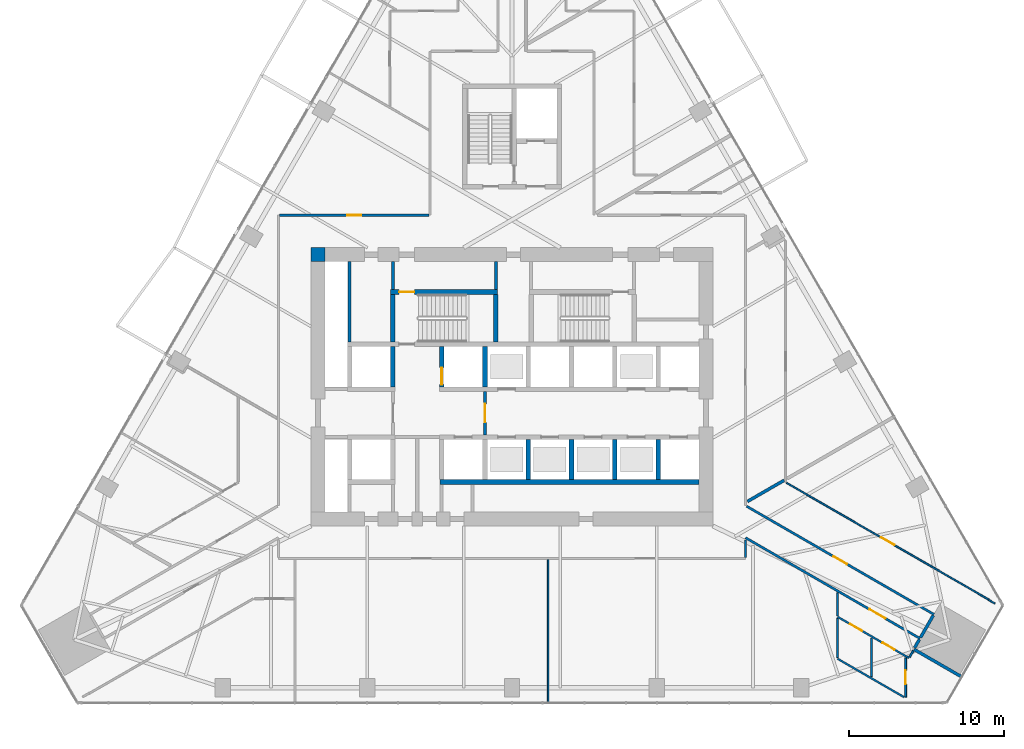
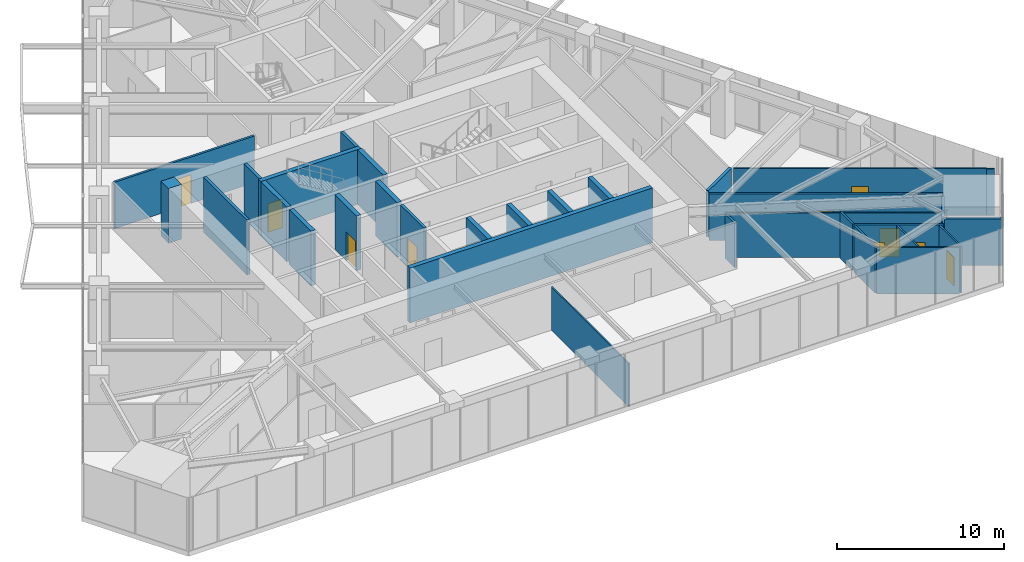
# One storey, part 17 of 22: 34 walls, 10 doors, 10 openings.
"""IFC4 building model written with IfcOpenShell, lengths in metres."""

from ifc_helpers import new_model, si_unit, direction, frame, frame_2d, origin, place, context, subcontext, project, spatial, rectangle, extrude, material, layer, layer_set, type_object, element, fill, save


model = new_model("IFC4")

# Units and contexts
model_context = context("Model", 3, precision=1e-05, world=origin(), true_north=direction((0.0, 1.0)))
body_context = subcontext(model_context, "Body", "Model", "MODEL_VIEW")
ifc_project = project(units=[si_unit("LENGTHUNIT", "METRE"), si_unit("AREAUNIT", "SQUARE_METRE"), si_unit("VOLUMEUNIT", "CUBIC_METRE"), si_unit("PLANEANGLEUNIT", "RADIAN"), si_unit("MASSUNIT", "GRAM", prefix="KILO")], contexts=[model_context])

# Site, building, storey
site_placement = place(None, origin())
site = spatial("IfcSite", under=ifc_project, at=site_placement, CompositionType="ELEMENT")
building_placement = place(site_placement, origin())
building = spatial("IfcBuilding", under=site, at=building_placement, Name="Firuza Gate Tower and Library", CompositionType="ELEMENT")
storey_placement = place(building_placement, frame((0.0, 0.0, 111.39990234375)))
storey = spatial("IfcBuildingStorey", under=building, at=storey_placement, Name="L25", CompositionType="ELEMENT", Elevation=111.39990234375)

# Walls
ifc_material_1 = material(Name="Plasterboard on steel studs", Category="steel")
ifc_layer_1 = layer(ifc_material_1, 0.199951171875)
ifc_layer_set_1 = layer_set([ifc_layer_1], Name="Core partition 200 EI 120")
wall_type_1 = type_object("IfcWallType", Name="Core partition 200 EI 120", PredefinedType="PARTITIONING", material=ifc_layer_set_1)
wall_1_placement = place(storey_placement, frame((64.5, 77.89990234375, 0.0), z_axis=(0.0, 0.0, 1.0), x_axis=(0.0, 1.0, 0.0)))
element("IfcWall", 1, at=wall_1_placement, inside=storey, type_object=wall_type_1, Name="Core partition L25 6", PredefinedType="PARTITIONING", context=body_context, shape_type="SweptSolid", body=[
    extrude(rectangle(XDim=5.2001953125, YDim=0.199951171875, at=frame_2d((2.60009765625, 0.0))), origin(), (0.0, 0.0, 1.0), 4.0),
])
ifc_material_2 = material(Name="Plasterboard on steel studs", Category="steel")
ifc_layer_2 = layer(ifc_material_2, 0.199951171875)
ifc_layer_set_2 = layer_set([ifc_layer_2], Name="Core partition 200 EI 60")
wall_type_2 = type_object("IfcWallType", Name="Core partition 200 EI 60", PredefinedType="PARTITIONING", material=ifc_layer_set_2)
wall_2_placement = place(storey_placement, frame((67.300048828125, 81.280029296875, 0.0), z_axis=(0.0, 0.0, 1.0), x_axis=(0.0, 1.0, 0.0)))
element("IfcWall", 2, at=wall_2_placement, inside=storey, type_object=wall_type_2, Name="Core partition L25 9", PredefinedType="PARTITIONING", context=body_context, shape_type="SweptSolid", body=[
    extrude(rectangle(XDim=1.820068359375, YDim=0.199951171875, at=frame_2d((0.91015625, 0.0))), origin(), (0.0, 0.0, 1.0), 4.0),
])

# Wall, opening, door
wall_3_placement = place(storey_placement, frame((73.25, 71.89990234375, 0.0), z_axis=(0.0, 0.0, 1.0), x_axis=(0.0, 1.0, 0.0)))
wall_3 = element("IfcWall", 3, at=wall_3_placement, inside=storey, type_object=wall_type_2, Name="Core partition L25 13", PredefinedType="PARTITIONING", context=body_context, shape_type="SweptSolid", body=[
    extrude(rectangle(XDim=2.800048828125, YDim=0.199951171875, at=frame_2d((1.39990234375, 0.0))), origin(), (0.0, 0.0, 1.0), 4.0),
])
opening_1_placement = place(wall_3_placement, frame((0.800048828125, 0.0, 0.0)))
opening_1 = element("IfcOpeningElement", 4, at=opening_1_placement, cuts=wall_3, Name="Opening L25-K20", PredefinedType="OPENING", context=body_context, shape_type="SweptSolid", body=[
    extrude(rectangle(XDim=1.199951171875, YDim=2.10009765625, at=frame_2d((0.60009765625, 1.050048828125))), frame((0.0, 0.10986328125, 0.0), z_axis=(0.0, -1.0, 0.0), x_axis=(1.0, 0.0, 0.0)), (0.0, 0.0, 1.0), 0.219970703125),
])
ifc_material_3 = material(Name="Steel", Category="steel")
door_type_1 = type_object("IfcDoorType", Name="Fire door 1200x2100 FD90S", OperationType="NOTDEFINED", PredefinedType="DOOR", material=ifc_material_3)
door_1_placement = place(opening_1_placement, origin())
door_1 = element("IfcDoor", 5, at=door_1_placement, inside=storey, type_object=door_type_1, Name="Door L25-K20", OperationType="SINGLE_SWING_LEFT", OverallHeight=2.10009765625, OverallWidth=1.199951171875, PredefinedType="DOOR", context=body_context, shape_type="SweptSolid", body=[
    extrude(rectangle(XDim=1.199951171875, YDim=2.10009765625, at=frame_2d((0.60009765625, 1.050048828125))), frame((0.0, 0.02490234375, 0.0), z_axis=(0.0, -1.0, 0.0), x_axis=(1.0, 0.0, 0.0)), (0.0, 0.0, 1.0), 0.050048828125),
])
fill(opening_1, door_1)

# Walls
wall_4_placement = place(storey_placement, frame((73.9599609375, 81.280029296875, 0.0), z_axis=(0.0, 0.0, 1.0), x_axis=(0.0, 1.0, 0.0)))
element("IfcWall", 6, at=wall_4_placement, inside=storey, type_object=wall_type_2, Name="Core partition L25 14", PredefinedType="PARTITIONING", context=body_context, shape_type="SweptSolid", body=[
    extrude(rectangle(XDim=1.820068359375, YDim=0.199951171875, at=frame_2d((0.91015625, 0.0))), origin(), (0.0, 0.0, 1.0), 4.0),
])
ifc_material_4 = material(Name="Concrete C80/95", Category="concrete")
ifc_layer_3 = layer(ifc_material_4, 0.300048828125)
ifc_layer_set_3 = layer_set([ifc_layer_3], Name="Core wall 300 C80/95")
wall_type_3 = type_object("IfcWallType", Name="Core wall 300 C80/95", PredefinedType="SHEAR", material=ifc_layer_set_3)
wall_5_placement = place(storey_placement, frame((70.35009765625, 68.85009765625, 0.0), z_axis=(0.0, 0.0, 1.0), x_axis=(1.0, 0.0, 0.0)))
element("IfcWall", 7, at=wall_5_placement, inside=storey, type_object=wall_type_3, Name="Core wall L25 6", PredefinedType="SHEAR", context=body_context, shape_type="SweptSolid", body=[
    extrude(rectangle(XDim=16.75, YDim=0.300048828125, at=frame_2d((8.375, 0.0))), origin(), (0.0, 0.0, 1.0), 4.0),
])
wall_6_placement = place(storey_placement, frame((67.300048828125, 75.0, 0.0), z_axis=(0.0, 0.0, 1.0), x_axis=(0.0, 1.0, 0.0)))
element("IfcWall", 8, at=wall_6_placement, inside=storey, type_object=wall_type_3, Name="Core wall L25 14", PredefinedType="SHEAR", context=body_context, shape_type="SweptSolid", body=[
    extrude(rectangle(XDim=2.60009765625, YDim=0.300048828125, at=frame_2d((1.300048828125, 0.0))), origin(), (0.0, 0.0, 1.0), 4.0),
])

# Wall, opening, door
wall_7_placement = place(storey_placement, frame((70.449951171875, 75.0, 0.0), z_axis=(0.0, 0.0, 1.0), x_axis=(0.0, 1.0, 0.0)))
wall_7 = element("IfcWall", 9, at=wall_7_placement, inside=storey, type_object=wall_type_3, Name="Core wall L25 16", PredefinedType="SHEAR", context=body_context, shape_type="SweptSolid", body=[
    extrude(rectangle(XDim=2.60009765625, YDim=0.300048828125, at=frame_2d((1.300048828125, 0.0))), origin(), (0.0, 0.0, 1.0), 4.0),
])
opening_2_placement = place(wall_7_placement, frame((0.14990234375, 0.0, 0.0)))
opening_2 = element("IfcOpeningElement", 10, at=opening_2_placement, cuts=wall_7, Name="Opening LD-FF2-L25", PredefinedType="OPENING", context=body_context, shape_type="SweptSolid", body=[
    extrude(rectangle(XDim=1.10009765625, YDim=2.10009765625, at=frame_2d((0.550048828125, 1.050048828125))), frame((0.0, 0.16015625, 0.0), z_axis=(0.0, -1.0, 0.0), x_axis=(1.0, 0.0, 0.0)), (0.0, 0.0, 1.0), 0.320068359375),
])
ifc_material_5 = material(Name="Stainless steel", Category="steel")
door_type_2 = type_object("IfcDoorType", Name="Lift landing door 1100x2100", OperationType="DOUBLE_DOOR_SLIDING", PredefinedType="DOOR", material=ifc_material_5)
door_2_placement = place(opening_2_placement, origin())
door_2 = element("IfcDoor", 11, at=door_2_placement, inside=storey, type_object=door_type_2, Name="Landing door FF2 L25", OperationType="DOUBLE_DOOR_SLIDING", OverallHeight=2.10009765625, OverallWidth=1.10009765625, PredefinedType="DOOR", context=body_context, shape_type="SweptSolid", body=[
    extrude(rectangle(XDim=1.10009765625, YDim=2.10009765625, at=frame_2d((0.550048828125, 1.050048828125))), frame((0.0, 0.02490234375, 0.0), z_axis=(0.0, -1.0, 0.0), x_axis=(1.0, 0.0, 0.0)), (0.0, 0.0, 1.0), 0.050048828125),
])
fill(opening_2, door_2)

# Walls
for number, where, z_axis, x_axis, name in (
    (12, (73.25, 75.0, 0.0), (0.0, 0.0, 1.0), (0.0, 1.0, 0.0), "Core wall L25 18"),
    (13, (76.050048828125, 69.0, 0.0), (0.0, 0.0, 1.0), (0.0, 1.0, 0.0), "Core wall L25 19"),
    (14, (78.85009765625, 69.0, 0.0), (0.0, 0.0, 1.0), (0.0, 1.0, 0.0), "Core wall L25 21"),
    (15, (81.64990234375, 69.0, 0.0), (0.0, 0.0, 1.0), (0.0, 1.0, 0.0), "Core wall L25 23"),
    (16, (84.449951171875, 69.0, 0.0), (0.0, 0.0, 1.0), (0.0, 1.0, 0.0), "Core wall L25 25"),
):
    element("IfcWall", number, at=place(storey_placement, frame(where, z_axis=z_axis, x_axis=x_axis)), inside=storey, type_object=wall_type_3, Name=name, PredefinedType="SHEAR", context=body_context, shape_type="SweptSolid", body=[
        extrude(rectangle(XDim=2.60009765625, YDim=0.300048828125, at=frame_2d((1.300048828125, 0.0))), origin(), (0.0, 0.0, 1.0), 4.0),
    ])

# Wall, opening, door
wall_8_placement = place(storey_placement, frame((67.14990234375, 81.1298828125, 0.0), z_axis=(0.0, 0.0, 1.0), x_axis=(1.0, 0.0, 0.0)))
wall_8 = element("IfcWall", 17, at=wall_8_placement, inside=storey, type_object=wall_type_3, Name="Core wall L25 28", PredefinedType="SHEAR", context=body_context, shape_type="SweptSolid", body=[
    extrude(rectangle(XDim=6.91015625, YDim=0.300048828125, at=frame_2d((3.455078125, 0.0))), origin(), (0.0, 0.0, 1.0), 4.0),
])
opening_3_placement = place(wall_8_placement, frame((0.544921875, 0.0, 0.0)))
opening_3 = element("IfcOpeningElement", 18, at=opening_3_placement, cuts=wall_8, Name="Opening L25-K13", PredefinedType="OPENING", context=body_context, shape_type="SweptSolid", body=[
    extrude(rectangle(XDim=1.0, YDim=2.10009765625, at=frame_2d((0.5, 1.050048828125))), frame((0.0, 0.16015625, 0.0), z_axis=(0.0, -1.0, 0.0), x_axis=(1.0, 0.0, 0.0)), (0.0, 0.0, 1.0), 0.320068359375),
])
ifc_material_6 = material(Name="Steel", Category="steel")
door_type_3 = type_object("IfcDoorType", Name="Fire door 1000x2100 FD90", OperationType="NOTDEFINED", PredefinedType="DOOR", material=ifc_material_6)
door_3_placement = place(opening_3_placement, origin())
door_3 = element("IfcDoor", 19, at=door_3_placement, inside=storey, type_object=door_type_3, Name="Door L25-K13", OperationType="SINGLE_SWING_RIGHT", OverallHeight=2.10009765625, OverallWidth=1.0, PredefinedType="DOOR", context=body_context, shape_type="SweptSolid", body=[
    extrude(rectangle(XDim=1.0, YDim=2.10009765625, at=frame_2d((0.5, 1.050048828125))), frame((0.0, 0.02490234375, 0.0), z_axis=(0.0, -1.0, 0.0), x_axis=(1.0, 0.0, 0.0)), (0.0, 0.0, 1.0), 0.050048828125),
])
fill(opening_3, door_3)

# Walls
for number, where, z_axis, x_axis, name in (
    (20, (67.300048828125, 77.89990234375, 0.0), (0.0, 0.0, 1.0), (0.0, 1.0, 0.0), "Core wall L25 30"),
    (21, (73.9599609375, 77.89990234375, 0.0), (0.0, 0.0, 1.0), (0.0, 1.0, 0.0), "Core wall L25 31"),
):
    element("IfcWall", number, at=place(storey_placement, frame(where, z_axis=z_axis, x_axis=x_axis)), inside=storey, type_object=wall_type_3, Name=name, PredefinedType="SHEAR", context=body_context, shape_type="SweptSolid", body=[
        extrude(rectangle(XDim=3.080078125, YDim=0.300048828125, at=frame_2d((1.5400390625, 0.0))), origin(), (0.0, 0.0, 1.0), 4.0),
    ])
ifc_material_7 = material(Name="Concrete C80/95", Category="concrete")
ifc_layer_4 = layer(ifc_material_7, 0.89990234375)
ifc_layer_set_4 = layer_set([ifc_layer_4], Name="Core wall 900 C80/95")
wall_type_4 = type_object("IfcWallType", Name="Core wall 900 C80/95", PredefinedType="SHEAR", material=ifc_layer_set_4)
wall_9_placement = place(storey_placement, frame((62.0, 83.550048828125, 0.0), z_axis=(0.0, 0.0, 1.0), x_axis=(1.0, 0.0, 0.0)))
element("IfcWall", 22, at=wall_9_placement, inside=storey, type_object=wall_type_4, Name="Core wall L25 40", PredefinedType="SHEAR", context=body_context, shape_type="SweptSolid", body=[
    extrude(rectangle(XDim=0.89990234375, YDim=0.89990234375, at=frame_2d((0.449951171875, 0.0))), origin(), (0.0, 0.0, 1.0), 4.0),
])

# Wall, opening, door
ifc_material_8 = material(Name="Gypsum board partition")
ifc_layer_5 = layer(ifc_material_8, 0.14990234375)
ifc_layer_set_5 = layer_set([ifc_layer_5], Name="Corridor wall 150 double board on steel studs")
wall_type_5 = type_object("IfcWallType", Name="Corridor wall 150 double board on steel studs", PredefinedType="PARTITIONING", material=ifc_layer_set_5)
wall_10_placement = place(storey_placement, frame((69.625, 86.10009765625, 0.0), z_axis=(0.0, 0.0, 1.0), x_axis=(-1.0, 0.0, 0.0)))
wall_10 = element("IfcWall", 23, at=wall_10_placement, inside=storey, type_object=wall_type_5, Name="f:L25:w002", PredefinedType="PARTITIONING", context=body_context, shape_type="SweptSolid", body=[
    extrude(rectangle(XDim=9.6494140625, YDim=0.14990234375, at=frame_2d((4.82470703125, 0.0))), origin(), (0.0, 0.0, 1.0), 3.400146484375),
])
opening_4_placement = place(wall_10_placement, frame((4.374755859375, 0.0, 0.0)))
opening_4 = element("IfcOpeningElement", 24, at=opening_4_placement, cuts=wall_10, Name="Opening L25-04", PredefinedType="OPENING", context=body_context, shape_type="SweptSolid", body=[
    extrude(rectangle(XDim=0.89990234375, YDim=2.10009765625, at=frame_2d((0.449951171875, 1.050048828125))), frame((0.0, 0.0849609375, 0.0), z_axis=(0.0, -1.0, 0.0), x_axis=(1.0, 0.0, 0.0)), (0.0, 0.0, 1.0), 0.169921875),
])
ifc_material_9 = material(Name="Steel door and timber leaf", Category="steel")
door_type_4 = type_object("IfcDoorType", Name="Fire door 900 x 2100 steel frame, timber leaf", OperationType="NOTDEFINED", PredefinedType="DOOR", material=ifc_material_9)
door_4_placement = place(opening_4_placement, origin())
door_4 = element("IfcDoor", 25, at=door_4_placement, inside=storey, type_object=door_type_4, Name="f:L25:d004", OperationType="SINGLE_SWING_LEFT", OverallHeight=2.10009765625, OverallWidth=0.89990234375, PredefinedType="DOOR", context=body_context, shape_type="SweptSolid", body=[
    extrude(rectangle(XDim=0.89990234375, YDim=2.10009765625, at=frame_2d((0.449951171875, 1.050048828125))), frame((0.0, 0.02490234375, 0.0), z_axis=(0.0, -1.0, 0.0), x_axis=(1.0, 0.0, 0.0)), (0.0, 0.0, 1.0), 0.050048828125),
])
fill(opening_4, door_4)

# Wall
wall_11_placement = place(storey_placement, frame((90.10009765625, 63.9755859375, 0.0), z_axis=(0.0, 0.0, 1.0), x_axis=(0.0, 1.0, 0.0)))
element("IfcWall", 26, at=wall_11_placement, inside=storey, type_object=wall_type_5, Name="f:L25:w032", PredefinedType="PARTITIONING", context=body_context, shape_type="SweptSolid", body=[
    extrude(rectangle(XDim=1.130615234375, YDim=0.14990234375, at=frame_2d((0.5654296875, 0.0))), origin(), (0.0, 0.0, 1.0), 3.2470703125),
])

# Wall, opening, door
wall_12_placement = place(storey_placement, frame((90.175048828125, 67.278076171875, 0.0), z_axis=(0.0, 0.0, 1.0), x_axis=(0.866025916507, -0.499999111938, 0.0)))
wall_12 = element("IfcWall", 27, at=wall_12_placement, inside=storey, type_object=wall_type_5, Name="f:L25:w059", PredefinedType="PARTITIONING", context=body_context, shape_type="SweptSolid", body=[
    extrude(rectangle(XDim=13.97900390625, YDim=0.14990234375, at=frame_2d((6.989501953125, 0.0))), origin(), (0.0, 0.0, 1.0), 3.400146484375),
])
opening_5_placement = place(wall_12_placement, frame((6.489501953125, 0.0, 0.0)))
opening_5 = element("IfcOpeningElement", 28, at=opening_5_placement, cuts=wall_12, Name="Opening L25-24", PredefinedType="OPENING", context=body_context, shape_type="SweptSolid", body=[
    extrude(rectangle(XDim=1.0, YDim=2.10009765625, at=frame_2d((0.5, 1.050048828125))), frame((0.0, 0.0849609375, 0.0), z_axis=(0.0, -1.0, 0.0), x_axis=(1.0, 0.0, 0.0)), (0.0, 0.0, 1.0), 0.169921875),
])
ifc_material_10 = material(Name="Steel door and timber leaf", Category="steel")
door_type_5 = type_object("IfcDoorType", Name="Fire door 1000 x 2100 steel frame, timber leaf", OperationType="NOTDEFINED", PredefinedType="DOOR", material=ifc_material_10)
door_5_placement = place(opening_5_placement, origin())
door_5 = element("IfcDoor", 29, at=door_5_placement, inside=storey, type_object=door_type_5, Name="f:L25:d024", OperationType="SINGLE_SWING_LEFT", OverallHeight=2.10009765625, OverallWidth=1.0, PredefinedType="DOOR", context=body_context, shape_type="SweptSolid", body=[
    extrude(rectangle(XDim=1.0, YDim=2.10009765625, at=frame_2d((0.5, 1.050048828125))), frame((0.0, 0.02490234375, 0.0), z_axis=(0.0, -1.0, 0.0), x_axis=(1.0, 0.0, 0.0)), (0.0, 0.0, 1.0), 0.050048828125),
])
fill(opening_5, door_5)

wall_13_placement = place(storey_placement, frame((101.381591796875, 58.7294921875, 0.0), z_axis=(0.0, 0.0, 1.0), x_axis=(-0.866023606965, 0.500003112169, 0.0)))
wall_13 = element("IfcWall", 30, at=wall_13_placement, inside=storey, type_object=wall_type_5, Name="f:L25:w060", PredefinedType="PARTITIONING", context=body_context, shape_type="SweptSolid", body=[
    extrude(rectangle(XDim=13.02685546875, YDim=0.14990234375, at=frame_2d((6.513427734375, 0.0))), origin(), (0.0, 0.0, 1.0), 3.2470703125),
])
opening_6_placement = place(wall_13_placement, frame((2.581298828125, 0.0, 0.0)))
opening_6 = element("IfcOpeningElement", 31, at=opening_6_placement, cuts=wall_13, Name="Opening L25-25", PredefinedType="OPENING", context=body_context, shape_type="SweptSolid", body=[
    extrude(rectangle(XDim=1.199951171875, YDim=2.10009765625, at=frame_2d((0.60009765625, 1.050048828125))), frame((0.0, 0.0849609375, 0.0), z_axis=(0.0, -1.0, 0.0), x_axis=(1.0, 0.0, 0.0)), (0.0, 0.0, 1.0), 0.169921875),
])
ifc_material_11 = material(Name="Steel door and timber leaf", Category="steel")
door_type_6 = type_object("IfcDoorType", Name="Fire door 1200 x 2100 steel frame, double leaf", OperationType="NOTDEFINED", PredefinedType="DOOR", material=ifc_material_11)
door_6_placement = place(opening_6_placement, origin())
door_6 = element("IfcDoor", 32, at=door_6_placement, inside=storey, type_object=door_type_6, Name="f:L25:d025", OperationType="DOUBLE_DOOR_SINGLE_SWING", OverallHeight=2.10009765625, OverallWidth=1.199951171875, PredefinedType="DOOR", context=body_context, shape_type="SweptSolid", body=[
    extrude(rectangle(XDim=1.199951171875, YDim=2.10009765625, at=frame_2d((0.60009765625, 1.050048828125))), frame((0.0, 0.02490234375, 0.0), z_axis=(0.0, -1.0, 0.0), x_axis=(1.0, 0.0, 0.0)), (0.0, 0.0, 1.0), 0.050048828125),
])
fill(opening_6, door_6)

# Walls
ifc_material_12 = material(Name="Gypsum board partition")
ifc_layer_6 = layer(ifc_material_12, 0.199951171875)
ifc_layer_set_6 = layer_set([ifc_layer_6], Name="Demising wall 200 acoustic double stud")
wall_type_6 = type_object("IfcWallType", Name="Demising wall 200 acoustic double stud", PredefinedType="PARTITIONING", material=ifc_layer_set_6)
wall_14_placement = place(storey_placement, frame((90.226806640625, 67.589599609375, 0.0), z_axis=(0.0, 0.0, 1.0), x_axis=(0.866003105128, 0.500038620418, 0.0)))
element("IfcWall", 33, at=wall_14_placement, inside=storey, type_object=wall_type_6, Name="f:L25:w011", PredefinedType="PARTITIONING", context=body_context, shape_type="SweptSolid", body=[
    extrude(rectangle(XDim=2.740478515625, YDim=0.199951171875, at=frame_2d((1.3701171875, 0.0))), origin(), (0.0, 0.0, 1.0), 3.400146484375),
])
wall_15_placement = place(storey_placement, frame((101.031494140625, 58.123779296875, 0.0), z_axis=(0.0, 0.0, 1.0), x_axis=(0.500049599607, 0.865996765544, 0.0)))
element("IfcWall", 34, at=wall_15_placement, inside=storey, type_object=wall_type_6, Name="f:L25:w025", PredefinedType="PARTITIONING", context=body_context, shape_type="SweptSolid", body=[
    extrude(rectangle(XDim=0.62451171875, YDim=0.199951171875, at=frame_2d((0.312255859375, 0.0))), origin(), (0.0, 0.0, 1.0), 3.400146484375),
])
wall_16_placement = place(storey_placement, frame((104.064697265625, 56.256591796875, 0.0), z_axis=(0.0, 0.0, 1.0), x_axis=(-0.866034141321, 0.499984865837, 0.0)))
element("IfcWall", 35, at=wall_16_placement, inside=storey, type_object=wall_type_6, Name="f:L25:w061", PredefinedType="PARTITIONING", context=body_context, shape_type="SweptSolid", body=[
    extrude(rectangle(XDim=3.54345703125, YDim=0.199951171875, at=frame_2d((1.771728515625, 0.0))), origin(), (0.0, 0.0, 1.0), 3.400146484375),
])
wall_17_placement = place(storey_placement, frame((101.4189453125, 58.794677734375, 0.0), z_axis=(0.0, 0.0, 1.0), x_axis=(0.499944585209, 0.866057395165, 0.0)))
element("IfcWall", 36, at=wall_17_placement, inside=storey, type_object=wall_type_6, Name="f:L25:w072", PredefinedType="PARTITIONING", context=body_context, shape_type="SweptSolid", body=[
    extrude(rectangle(XDim=1.649169921875, YDim=0.199951171875, at=frame_2d((0.82470703125, 0.0))), origin(), (0.0, 0.0, 1.0), 3.2470703125),
])
ifc_material_13 = material(Name="Gypsum board partition")
ifc_layer_7 = layer(ifc_material_13, 0.10009765625)
ifc_layer_set_7 = layer_set([ifc_layer_7], Name="Partition 100 gypsum board on steel studs")
wall_type_7 = type_object("IfcWallType", Name="Partition 100 gypsum board on steel studs", PredefinedType="PARTITIONING", material=ifc_layer_set_7)
wall_18_placement = place(storey_placement, frame((77.339111328125, 54.5810546875, 0.0), z_axis=(0.0, 0.0, 1.0), x_axis=(0.0, 1.0, 0.0)))
element("IfcWall", 37, at=wall_18_placement, inside=storey, type_object=wall_type_7, Name="f:L25:w038", PredefinedType="PARTITIONING", context=body_context, shape_type="SweptSolid", body=[
    extrude(rectangle(XDim=9.243896484375, YDim=0.10009765625, at=frame_2d((4.6220703125, 0.0))), origin(), (0.0, 0.0, 1.0), 3.1650390625),
])

# Wall, opening, door
wall_19_placement = place(storey_placement, frame((105.833251953125, 61.239990234375, 0.0), z_axis=(0.0, 0.0, 1.0), x_axis=(-0.866025727262, 0.499999439721, 0.0)))
wall_19 = element("IfcWall", 38, at=wall_19_placement, inside=storey, type_object=wall_type_7, Name="f:L25:w057", PredefinedType="PARTITIONING", context=body_context, shape_type="SweptSolid", body=[
    extrude(rectangle(XDim=15.10693359375, YDim=0.10009765625, at=frame_2d((7.553466796875, 0.0))), origin(), (0.0, 0.0, 1.0), 3.400146484375),
])
opening_7_placement = place(wall_19_placement, frame((7.053466796875, 0.0, 0.0)))
opening_7 = element("IfcOpeningElement", 39, at=opening_7_placement, cuts=wall_19, Name="Opening L25-23", PredefinedType="OPENING", context=body_context, shape_type="SweptSolid", body=[
    extrude(rectangle(XDim=1.0, YDim=2.10009765625, at=frame_2d((0.5, 1.050048828125))), frame((0.0, 0.06005859375, 0.0), z_axis=(0.0, -1.0, 0.0), x_axis=(1.0, 0.0, 0.0)), (0.0, 0.0, 1.0), 0.1201171875),
])
ifc_material_14 = material(Name="Timber door", Category="wood")
door_type_7 = type_object("IfcDoorType", Name="Door 1000 x 2100 timber leaf", OperationType="NOTDEFINED", PredefinedType="DOOR", material=ifc_material_14)
door_7_placement = place(opening_7_placement, origin())
door_7 = element("IfcDoor", 40, at=door_7_placement, inside=storey, type_object=door_type_7, Name="f:L25:d023", OperationType="SINGLE_SWING_LEFT", OverallHeight=2.10009765625, OverallWidth=1.0, PredefinedType="DOOR", context=body_context, shape_type="SweptSolid", body=[
    extrude(rectangle(XDim=1.0, YDim=2.10009765625, at=frame_2d((0.5, 1.050048828125))), frame((0.0, 0.02490234375, 0.0), z_axis=(0.0, -1.0, 0.0), x_axis=(1.0, 0.0, 0.0)), (0.0, 0.0, 1.0), 0.050048828125),
])
fill(opening_7, door_7)

# Walls
wall_20_placement = place(storey_placement, frame((106.233154296875, 60.986083984375, 0.0), z_axis=(0.0, 0.0, 1.0), x_axis=(-0.866073792734, 0.499916178513, 0.0)))
element("IfcWall", 41, at=wall_20_placement, inside=storey, type_object=wall_type_7, Name="f:L25:w058", PredefinedType="PARTITIONING", context=body_context, shape_type="SweptSolid", body=[
    extrude(rectangle(XDim=0.47265625, YDim=0.10009765625, at=frame_2d((0.236328125, 0.0))), origin(), (0.0, 0.0, 1.0), 3.400146484375),
])
ifc_material_15 = material(Name="Gypsum board partition")
ifc_layer_8 = layer(ifc_material_15, 0.1201171875)
ifc_layer_set_8 = layer_set([ifc_layer_8], Name="Wet-area partition 120 moisture-resistant board")
wall_type_8 = type_object("IfcWallType", Name="Wet-area partition 120 moisture-resistant board", PredefinedType="PARTITIONING", material=ifc_layer_set_8)
wall_21_placement = place(storey_placement, frame((100.703857421875, 57.51611328125, 0.0), z_axis=(0.0, 0.0, 1.0), x_axis=(0.499679281737, 0.866210491395, 0.0)))
element("IfcWall", 42, at=wall_21_placement, inside=storey, type_object=wall_type_8, Name="f:L25:w024", PredefinedType="PARTITIONING", context=body_context, shape_type="SweptSolid", body=[
    extrude(rectangle(XDim=0.489501953125, YDim=0.1201171875, at=frame_2d((0.24462890625, 0.0))), origin(), (0.0, 0.0, 1.0), 3.400146484375),
])

# Wall, opening, door
wall_22_placement = place(storey_placement, frame((100.449951171875, 54.941162109375, 0.0), z_axis=(0.0, 0.0, 1.0), x_axis=(0.0, 1.0, 0.0)))
wall_22 = element("IfcWall", 43, at=wall_22_placement, inside=storey, type_object=wall_type_8, Name="f:L25:w028", PredefinedType="PARTITIONING", context=body_context, shape_type="SweptSolid", body=[
    extrude(rectangle(XDim=2.542236328125, YDim=0.1201171875, at=frame_2d((1.27099609375, 0.0))), origin(), (0.0, 0.0, 1.0), 3.400146484375),
])
opening_8_placement = place(wall_22_placement, frame((0.821044921875, 0.0, 0.0)))
opening_8 = element("IfcOpeningElement", 44, at=opening_8_placement, cuts=wall_22, Name="Opening L25-15", PredefinedType="OPENING", context=body_context, shape_type="SweptSolid", body=[
    extrude(rectangle(XDim=0.89990234375, YDim=2.10009765625, at=frame_2d((0.449951171875, 1.050048828125))), frame((0.0, 0.070068359375, 0.0), z_axis=(0.0, -1.0, 0.0), x_axis=(1.0, 0.0, 0.0)), (0.0, 0.0, 1.0), 0.14013671875),
])
ifc_material_16 = material(Name="Timber door", Category="wood")
door_type_8 = type_object("IfcDoorType", Name="Door 900 x 2100 timber leaf", OperationType="NOTDEFINED", PredefinedType="DOOR", material=ifc_material_16)
door_8_placement = place(opening_8_placement, origin())
door_8 = element("IfcDoor", 45, at=door_8_placement, inside=storey, type_object=door_type_8, Name="f:L25:d015", OperationType="SINGLE_SWING_RIGHT", OverallHeight=2.10009765625, OverallWidth=0.89990234375, PredefinedType="DOOR", context=body_context, shape_type="SweptSolid", body=[
    extrude(rectangle(XDim=0.89990234375, YDim=2.10009765625, at=frame_2d((0.449951171875, 1.050048828125))), frame((0.0, 0.02490234375, 0.0), z_axis=(0.0, -1.0, 0.0), x_axis=(1.0, 0.0, 0.0)), (0.0, 0.0, 1.0), 0.050048828125),
])
fill(opening_8, door_8)

# Walls
wall_23_placement = place(storey_placement, frame((98.2490234375, 56.259521484375, 0.0), z_axis=(0.0, 0.0, 1.0), x_axis=(0.0, 1.0, 0.0)))
element("IfcWall", 46, at=wall_23_placement, inside=storey, type_object=wall_type_8, Name="f:L25:w029", PredefinedType="PARTITIONING", context=body_context, shape_type="SweptSolid", body=[
    extrude(rectangle(XDim=2.4951171875, YDim=0.1201171875, at=frame_2d((1.24755859375, 0.0))), origin(), (0.0, 0.0, 1.0), 3.400146484375),
])
wall_24_placement = place(storey_placement, frame((96.047119140625, 57.49072265625, 0.0), z_axis=(0.0, 0.0, 1.0), x_axis=(0.0, 1.0, 0.0)))
element("IfcWall", 47, at=wall_24_placement, inside=storey, type_object=wall_type_8, Name="f:L25:w030", PredefinedType="PARTITIONING", context=body_context, shape_type="SweptSolid", body=[
    extrude(rectangle(XDim=2.54052734375, YDim=0.1201171875, at=frame_2d((1.270263671875, 0.0))), origin(), (0.0, 0.0, 1.0), 3.400146484375),
])

# Wall, openings, doors
wall_25_placement = place(storey_placement, frame((96.047119140625, 60.135009765625, 0.0), z_axis=(0.0, 0.0, 1.0), x_axis=(0.866018138487, -0.500012583653, 0.0)))
wall_25 = element("IfcWall", 48, at=wall_25_placement, inside=storey, type_object=wall_type_8, Name="f:L25:w062", PredefinedType="PARTITIONING", context=body_context, shape_type="SweptSolid", body=[
    extrude(rectangle(XDim=5.341552734375, YDim=0.1201171875, at=frame_2d((2.6708984375, 0.0))), origin(), (0.0, 0.0, 1.0), 3.400146484375),
])
opening_9_placement = place(wall_25_placement, frame((0.9228515625, 0.0, 0.0)))
opening_9 = element("IfcOpeningElement", 49, at=opening_9_placement, cuts=wall_25, Name="Opening L25-26", PredefinedType="OPENING", context=body_context, shape_type="SweptSolid", body=[
    extrude(rectangle(XDim=0.89990234375, YDim=2.10009765625, at=frame_2d((0.449951171875, 1.050048828125))), frame((0.0, 0.070068359375, 0.0), z_axis=(0.0, -1.0, 0.0), x_axis=(1.0, 0.0, 0.0)), (0.0, 0.0, 1.0), 0.14013671875),
])
opening_10_placement = place(wall_25_placement, frame((3.363525390625, 0.0, 0.0)))
opening_10 = element("IfcOpeningElement", 50, at=opening_10_placement, cuts=wall_25, Name="Opening L25-27", PredefinedType="OPENING", context=body_context, shape_type="SweptSolid", body=[
    extrude(rectangle(XDim=0.89990234375, YDim=2.10009765625, at=frame_2d((0.449951171875, 1.050048828125))), frame((0.0, 0.070068359375, 0.0), z_axis=(0.0, -1.0, 0.0), x_axis=(1.0, 0.0, 0.0)), (0.0, 0.0, 1.0), 0.14013671875),
])
door_9_placement = place(opening_9_placement, origin())
door_9 = element("IfcDoor", 51, at=door_9_placement, inside=storey, type_object=door_type_8, Name="f:L25:d026", OperationType="SINGLE_SWING_LEFT", OverallHeight=2.10009765625, OverallWidth=0.89990234375, PredefinedType="DOOR", context=body_context, shape_type="SweptSolid", body=[
    extrude(rectangle(XDim=0.89990234375, YDim=2.10009765625, at=frame_2d((0.449951171875, 1.050048828125))), frame((0.0, 0.02490234375, 0.0), z_axis=(0.0, -1.0, 0.0), x_axis=(1.0, 0.0, 0.0)), (0.0, 0.0, 1.0), 0.050048828125),
])
fill(opening_9, door_9)
door_10_placement = place(opening_10_placement, origin())
door_10 = element("IfcDoor", 52, at=door_10_placement, inside=storey, type_object=door_type_8, Name="f:L25:d027", OperationType="SINGLE_SWING_RIGHT", OverallHeight=2.10009765625, OverallWidth=0.89990234375, PredefinedType="DOOR", context=body_context, shape_type="SweptSolid", body=[
    extrude(rectangle(XDim=0.89990234375, YDim=2.10009765625, at=frame_2d((0.449951171875, 1.050048828125))), frame((0.0, 0.02490234375, 0.0), z_axis=(0.0, -1.0, 0.0), x_axis=(1.0, 0.0, 0.0)), (0.0, 0.0, 1.0), 0.050048828125),
])
fill(opening_10, door_10)

# Walls
wall_26_placement = place(storey_placement, frame((100.343017578125, 54.941162109375, 0.0), z_axis=(0.0, 0.0, 1.0), x_axis=(-0.866005271205, 0.500034869029, 0.0)))
element("IfcWall", 53, at=wall_26_placement, inside=storey, type_object=wall_type_8, Name="f:L25:w063", PredefinedType="PARTITIONING", context=body_context, shape_type="SweptSolid", body=[
    extrude(rectangle(XDim=4.960693359375, YDim=0.1201171875, at=frame_2d((2.48046875, 0.0))), origin(), (0.0, 0.0, 1.0), 3.400146484375),
])
wall_27_placement = place(storey_placement, frame((96.047119140625, 60.18701171875, 0.0), z_axis=(0.0, 0.0, 1.0), x_axis=(0.0, 1.0, 0.0)))
element("IfcWall", 54, at=wall_27_placement, inside=storey, type_object=wall_type_8, Name="f:L25:w073", PredefinedType="PARTITIONING", context=body_context, shape_type="SweptSolid", body=[
    extrude(rectangle(XDim=1.49560546875, YDim=0.1201171875, at=frame_2d((0.747802734375, 0.0))), origin(), (0.0, 0.0, 1.0), 3.400146484375),
])

save(model, "model.ifc")
